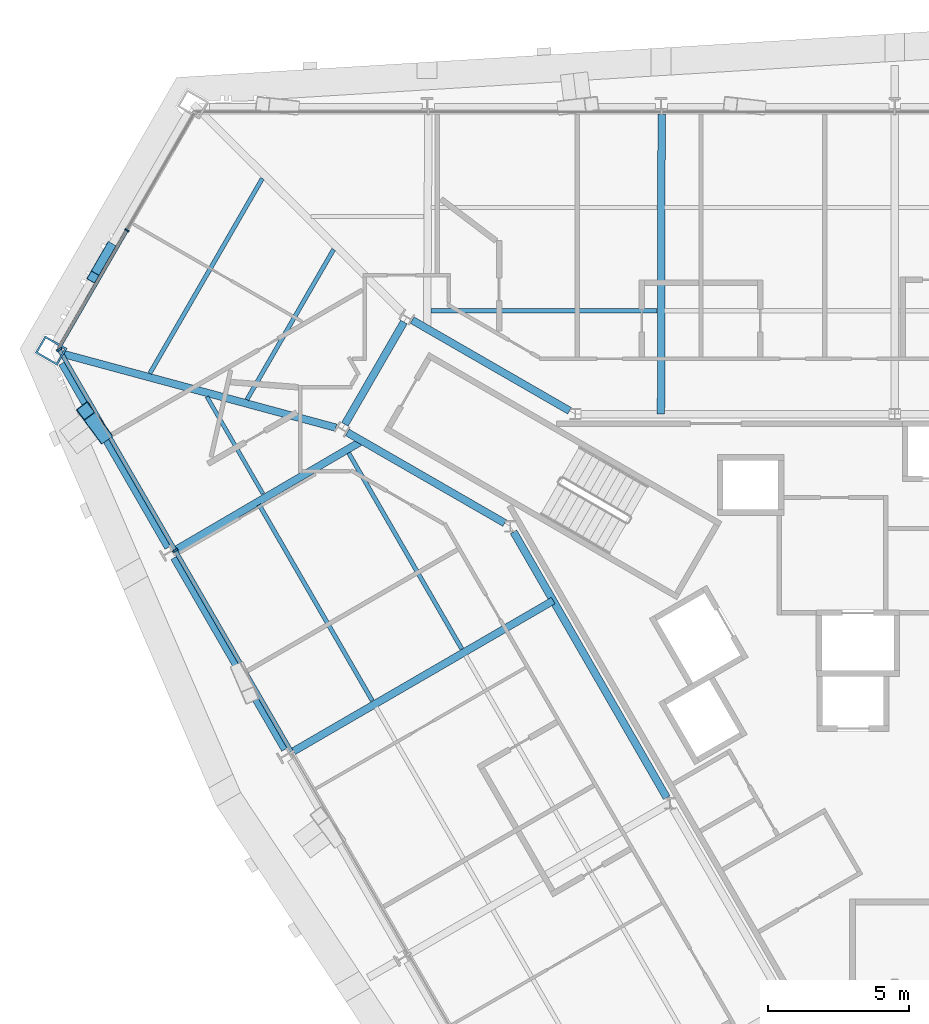
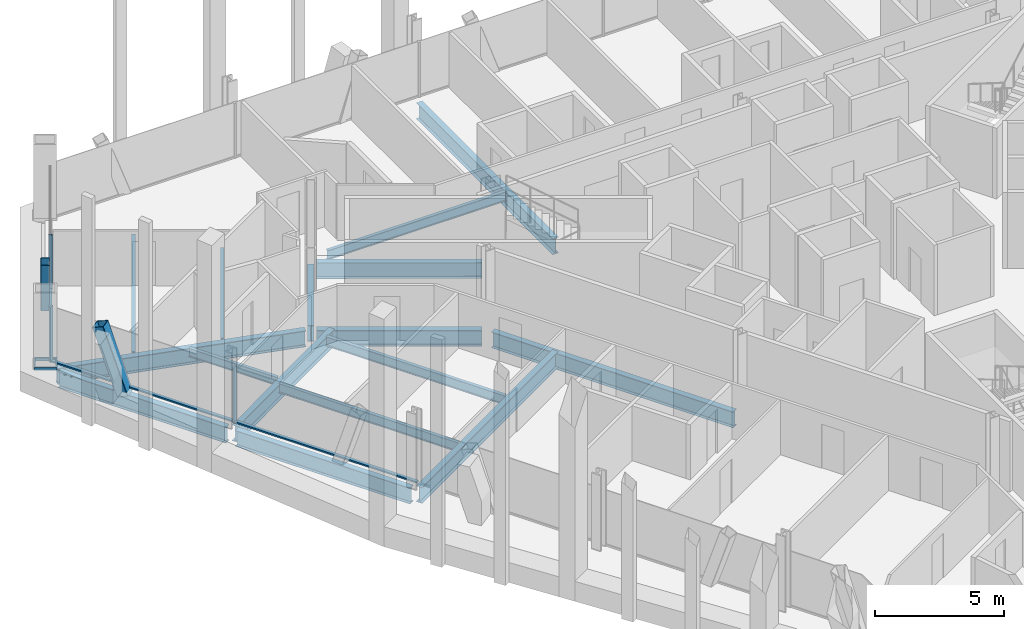
# One storey, part 6 of 17: 16 beams, 9 members, 2 elements without a shape of their own.
"""IFC4 building model written with IfcOpenShell, lengths in metres."""

from ifc_helpers import new_model, si_unit, direction, frame, origin, origin_2d, place, context, subcontext, project, spatial, rectangle, hollow_rectangle, i_section, extrude, material, material_profile, profile_set, type_object, element, aggregate, save


model = new_model("IFC4")

# Units and contexts
model_context = context("Model", 3, precision=1e-05, world=origin(), true_north=direction((0.0, 1.0)))
body_context = subcontext(model_context, "Body", "Model", "MODEL_VIEW")
ifc_project = project(units=[si_unit("LENGTHUNIT", "METRE"), si_unit("AREAUNIT", "SQUARE_METRE"), si_unit("VOLUMEUNIT", "CUBIC_METRE"), si_unit("PLANEANGLEUNIT", "RADIAN"), si_unit("MASSUNIT", "GRAM", prefix="KILO")], contexts=[model_context])

# Site, building, storey
site_placement = place(None, origin())
site = spatial("IfcSite", under=ifc_project, at=site_placement, CompositionType="ELEMENT")
building_placement = place(site_placement, origin())
building = spatial("IfcBuilding", under=site, at=building_placement, Name="Verrane Prism Tower", CompositionType="ELEMENT")
storey_placement = place(building_placement, frame((0.0, 0.0, 132.39990234375)))
storey = spatial("IfcBuildingStorey", under=building, at=storey_placement, Name="L32", CompositionType="ELEMENT", Elevation=132.39990234375)

# Member
ifc_material_1 = material(Name="Steel A500 Grade C", Category="steel")
ifc_material_profile_1 = material_profile(ifc_material_1, hollow_rectangle(XDim=0.355712890625, YDim=0.355712890625, WallThickness=0.0126953125, InnerFilletRadius=0.00634765625, OuterFilletRadius=0.01904296875, at=origin_2d()), Name="HSS14x14x1/2")
ifc_profile_set_1 = profile_set([ifc_material_profile_1], Name="Steel A500 Grade C")
member_type_1 = type_object("IfcMemberType", Name="Chamfer brace HSS14x14x1/2", PredefinedType="BRACE", material=ifc_profile_set_1)
member_1_placement = place(storey_placement, frame((-27.819580078125, 15.09228515625, -0.2451171875), z_axis=(-0.185731946413, -0.321955499145, 0.928357851613), x_axis=(0.866199107184, -0.499699016123, 0.0)))
element("IfcMember", 1, at=member_1_placement, inside=storey, type_object=member_type_1, Name="Chamfer brace NW0 L32", PredefinedType="BRACE", context=body_context, shape_type="SweptSolid", body=[
    extrude(hollow_rectangle(XDim=0.355712890625, YDim=0.355712890625, WallThickness=0.0126953125, InnerFilletRadius=0.00634765625, OuterFilletRadius=0.01904296875, at=origin_2d()), origin(), (0.0, 0.0, 1.0), 3.23486328125),
])

# Beams
ifc_material_2 = material(Name="Steel A992", Category="steel")
ifc_material_profile_2 = material_profile(ifc_material_2, i_section(OverallWidth=0.2666015625, OverallDepth=0.7568359375, WebThickness=0.013916015625, FlangeThickness=0.019287109375, FilletRadius=0.0166015625, at=origin_2d()), Name="W30x108")
ifc_profile_set_2 = profile_set([ifc_material_profile_2], Name="Steel A992")
beam_type_1 = type_object("IfcBeamType", Name="Core ring girder W30x108", PredefinedType="BEAM", material=ifc_profile_set_2)
beam_1_placement = place(storey_placement, frame((-11.53076171875, 9.315673828125, -0.62841796875), z_axis=(-0.866455532004, 0.499254254924, 0.0), x_axis=(-0.499254254924, -0.866455532004, 0.0)))
element("IfcBeam", 2, at=beam_1_placement, inside=storey, type_object=beam_type_1, Name="Core ring girder L32", PredefinedType="BEAM", context=body_context, shape_type="SweptSolid", body=[
    extrude(i_section(OverallWidth=0.2666015625, OverallDepth=0.7568359375, WebThickness=0.013916015625, FlangeThickness=0.019287109375, FilletRadius=0.0166015625, at=origin_2d()), origin(), (0.0, 0.0, 1.0), 6.441162109375),
])
beam_2_placement = place(storey_placement, frame((-17.40283203125, 12.4619140625, -0.62841796875), z_axis=(-0.500367003619, -0.865813410435, 0.0), x_axis=(0.865813410435, -0.500367003619, 0.0)))
element("IfcBeam", 3, at=beam_2_placement, inside=storey, type_object=beam_type_1, Name="Core ring girder L32", PredefinedType="BEAM", context=body_context, shape_type="SweptSolid", body=[
    extrude(i_section(OverallWidth=0.2666015625, OverallDepth=0.7568359375, WebThickness=0.013916015625, FlangeThickness=0.019287109375, FilletRadius=0.0166015625, at=origin_2d()), origin(), (0.0, 0.0, 1.0), 4.185302734375),
])
beam_3_placement = place(storey_placement, frame((-19.411865234375, 8.551513671875, -0.62841796875), z_axis=(0.866455532004, -0.499254254924, 0.0), x_axis=(0.499254254924, 0.866455532004, 0.0)))
element("IfcBeam", 4, at=beam_3_placement, inside=storey, type_object=beam_type_1, Name="Core ring girder L32", PredefinedType="BEAM", context=body_context, shape_type="SweptSolid", body=[
    extrude(i_section(OverallWidth=0.2666015625, OverallDepth=0.7568359375, WebThickness=0.013916015625, FlangeThickness=0.019287109375, FilletRadius=0.0166015625, at=origin_2d()), origin(), (0.0, 0.0, 1.0), 6.441162109375),
])
beam_4_placement = place(storey_placement, frame((-13.51513671875, 5.0205078125, -0.62841796875), z_axis=(0.4993706109, -0.866388476937, 0.0), x_axis=(0.866388476937, 0.4993706109, 0.0)))
element("IfcBeam", 5, at=beam_4_placement, inside=storey, type_object=beam_type_1, Name="Core ring girder L32", PredefinedType="BEAM", context=body_context, shape_type="SweptSolid", body=[
    extrude(i_section(OverallWidth=0.2666015625, OverallDepth=0.7568359375, WebThickness=0.013916015625, FlangeThickness=0.019287109375, FilletRadius=0.0166015625, at=origin_2d()), origin(), (0.0, 0.0, 1.0), 10.8740234375),
])
ifc_material_3 = material(Name="Steel A992", Category="steel")
ifc_material_profile_3 = material_profile(ifc_material_3, i_section(OverallWidth=0.2666015625, OverallDepth=0.76708984375, WebThickness=0.014892578125, FlangeThickness=0.023681640625, FilletRadius=0.0166015625, at=origin_2d()), Name="W30x124")
ifc_profile_set_3 = profile_set([ifc_material_profile_3], Name="Steel A992")
beam_type_2 = type_object("IfcBeamType", Name="Corner girder W30x124", PredefinedType="BEAM", material=ifc_profile_set_3)
beam_5_placement = place(storey_placement, frame((-29.470458984375, 11.32861328125, -0.603515625), z_axis=(0.965337296085, -0.261005564666, 0.0), x_axis=(0.261005564666, 0.965337296085, 0.0)))
element("IfcBeam", 6, at=beam_5_placement, inside=storey, type_object=beam_type_2, Name="Corner girder L32", PredefinedType="BEAM", context=body_context, shape_type="SweptSolid", body=[
    extrude(i_section(OverallWidth=0.2666015625, OverallDepth=0.76708984375, WebThickness=0.014892578125, FlangeThickness=0.023681640625, FilletRadius=0.0166015625, at=origin_2d()), origin(), (0.0, 0.0, 1.0), 10.000244140625),
])

# Member
ifc_material_4 = material(Name="Steel A1085 Grade A", Category="steel")
ifc_material_profile_4 = material_profile(ifc_material_4, hollow_rectangle(XDim=0.508056640625, YDim=0.508056640625, WallThickness=0.025390625, InnerFilletRadius=0.0126953125, OuterFilletRadius=0.0380859375, at=origin_2d()), Name="HSS20x20x1")
ifc_profile_set_4 = profile_set([ifc_material_profile_4], Name="Steel A1085 Grade A")
member_type_2 = type_object("IfcMemberType", Name="Facade brace HSS20x20x1", PredefinedType="BRACE", material=ifc_profile_set_4)
member_2_placement = place(storey_placement, frame((-28.064697265625, 8.469482421875, -0.242431640625), z_axis=(-0.195113232016, 0.26395868677, 0.944593371971), x_axis=(-0.804156725059, -0.594417329444, 0.0)))
element("IfcMember", 7, at=member_2_placement, inside=storey, type_object=member_type_2, Name="Facade brace SW0 L32", PredefinedType="BRACE", context=body_context, shape_type="SweptSolid", body=[
    extrude(hollow_rectangle(XDim=0.508056640625, YDim=0.508056640625, WallThickness=0.025390625, InnerFilletRadius=0.0126953125, OuterFilletRadius=0.0380859375, at=origin_2d()), origin(), (0.0, 0.0, 1.0), 3.1845703125),
])

# Beams
ifc_material_5 = material(Name="Steel A992", Category="steel")
ifc_material_profile_5 = material_profile(ifc_material_5, i_section(OverallWidth=0.140380859375, OverallDepth=0.40380859375, WebThickness=0.007080078125, FlangeThickness=0.01123046875, FilletRadius=0.01025390625, at=origin_2d()), Name="W16x31")
ifc_profile_set_5 = profile_set([ifc_material_profile_5], Name="Steel A992")
beam_type_3 = type_object("IfcBeamType", Name="Floor beam W16x31", PredefinedType="BEAM", material=ifc_profile_set_5)
beam_6_placement = place(storey_placement, frame((-22.40185546875, 6.37548828125, -0.36181640625), z_axis=(-0.499972468829, 0.86604129833, 0.0), x_axis=(-0.86604129833, -0.499972468829, 0.0)))
element("IfcBeam", 8, at=beam_6_placement, inside=storey, type_object=beam_type_3, Name="Floor beam L32", PredefinedType="BEAM", context=body_context, shape_type="SweptSolid", body=[
    extrude(i_section(OverallWidth=0.140380859375, OverallDepth=0.40380859375, WebThickness=0.007080078125, FlangeThickness=0.01123046875, FilletRadius=0.01025390625, at=origin_2d()), origin(), (0.0, 0.0, 1.0), 3.972900390625),
])
ifc_material_6 = material(Name="Steel A992", Category="steel")
ifc_material_profile_6 = material_profile(ifc_material_6, i_section(OverallWidth=0.15234375, OverallDepth=0.449462890625, WebThickness=0.007568359375, FlangeThickness=0.0107421875, FilletRadius=0.01025390625, at=origin_2d()), Name="W18x35")
ifc_profile_set_6 = profile_set([ifc_material_profile_6], Name="Steel A992")
beam_type_4 = type_object("IfcBeamType", Name="Floor beam W18x35", PredefinedType="BEAM", material=ifc_profile_set_6)
beam_7_placement = place(storey_placement, frame((-16.446533203125, 12.86328125, -0.384765625), z_axis=(1.0, 0.0, 0.0), x_axis=(0.0, 1.0, 0.0)))
element("IfcBeam", 9, at=beam_7_placement, inside=storey, type_object=beam_type_4, Name="Floor beam L32", PredefinedType="BEAM", context=body_context, shape_type="SweptSolid", body=[
    extrude(i_section(OverallWidth=0.15234375, OverallDepth=0.449462890625, WebThickness=0.007568359375, FlangeThickness=0.0107421875, FilletRadius=0.01025390625, at=origin_2d()), origin(), (0.0, 0.0, 1.0), 8.02294921875),
])
beam_8_placement = place(storey_placement, frame((-15.351318359375, 0.87158203125, -0.384765625), z_axis=(-0.499986657325, 0.866033107044, 0.0), x_axis=(-0.866033107044, -0.499986657325, 0.0)))
element("IfcBeam", 10, at=beam_8_placement, inside=storey, type_object=beam_type_4, Name="Floor beam L32", PredefinedType="BEAM", context=body_context, shape_type="SweptSolid", body=[
    extrude(i_section(OverallWidth=0.15234375, OverallDepth=0.449462890625, WebThickness=0.007568359375, FlangeThickness=0.0107421875, FilletRadius=0.01025390625, at=origin_2d()), origin(), (0.0, 0.0, 1.0), 8.025634765625),
])
beam_9_placement = place(storey_placement, frame((-18.525634765625, -0.96240234375, -0.384765625), z_axis=(-0.499996300355, 0.866027539765, 0.0), x_axis=(-0.866027539765, -0.499996300355, 0.0)))
element("IfcBeam", 11, at=beam_9_placement, inside=storey, type_object=beam_type_4, Name="Floor beam L32", PredefinedType="BEAM", context=body_context, shape_type="SweptSolid", body=[
    extrude(i_section(OverallWidth=0.15234375, OverallDepth=0.449462890625, WebThickness=0.007568359375, FlangeThickness=0.0107421875, FilletRadius=0.01025390625, at=origin_2d()), origin(), (0.0, 0.0, 1.0), 8.02587890625),
])
beam_10_placement = place(storey_placement, frame((-22.971435546875, 9.709716796875, -0.384765625), z_axis=(0.499989277538, 0.866031594312, 0.0), x_axis=(-0.866031594312, 0.499989277538, 0.0)))
element("IfcBeam", 12, at=beam_10_placement, inside=storey, type_object=beam_type_4, Name="Floor beam L32", PredefinedType="BEAM", context=body_context, shape_type="SweptSolid", body=[
    extrude(i_section(OverallWidth=0.15234375, OverallDepth=0.449462890625, WebThickness=0.007568359375, FlangeThickness=0.0107421875, FilletRadius=0.01025390625, at=origin_2d()), origin(), (0.0, 0.0, 1.0), 6.151611328125),
])
beam_11_placement = place(storey_placement, frame((-26.413818359375, 10.640380859375, -0.384765625), z_axis=(0.500003955024, 0.866023120338, 0.0), x_axis=(-0.866023120338, 0.500003955024, 0.0)))
element("IfcBeam", 13, at=beam_11_placement, inside=storey, type_object=beam_type_4, Name="Floor beam L32", PredefinedType="BEAM", context=body_context, shape_type="SweptSolid", body=[
    extrude(i_section(OverallWidth=0.15234375, OverallDepth=0.449462890625, WebThickness=0.007568359375, FlangeThickness=0.0107421875, FilletRadius=0.01025390625, at=origin_2d()), origin(), (0.0, 0.0, 1.0), 7.98291015625),
])

# Member
ifc_material_7 = material(Name="Steel A572 Grade 50", Category="steel")
ifc_material_profile_7 = material_profile(ifc_material_7, hollow_rectangle(XDim=0.699951171875, YDim=0.89990234375, WallThickness=0.06494140625, at=origin_2d()), Name="BOX 900x700x65")
ifc_profile_set_7 = profile_set([ifc_material_profile_7], Name="Steel A572 Grade 50")
member_type_3 = type_object("IfcMemberType", Name="Kink node BOX 900x700x65", PredefinedType="COLLAR", material=ifc_profile_set_7)
member_3_placement = place(storey_placement, frame((-29.91162109375, 11.449951171875, -0.074951171875), z_axis=(0.0, 0.0, 1.0), x_axis=(0.5, 0.866025403784, 0.0)))
element("IfcMember", 14, at=member_3_placement, inside=storey, type_object=member_type_3, Name="Kink node MC3 L32", PredefinedType="COLLAR", context=body_context, shape_type="SweptSolid", body=[
    extrude(hollow_rectangle(XDim=0.699951171875, YDim=0.89990234375, WallThickness=0.06494140625, at=origin_2d()), origin(), (0.0, 0.0, 1.0), 0.150146484375),
])

# Curtain wall, member
ifc_material_8 = material(Name="Aluminium framed insulated glazing", Category="aluminium")
curtain_wall_type_1 = type_object("IfcCurtainWallType", Name="Curtain wall CW-B 5600 module", PredefinedType="NOTDEFINED", material=ifc_material_8)
curtain_wall_1_placement = place(storey_placement, origin())
curtain_wall_1 = element("IfcCurtainWall", 15, at=curtain_wall_1_placement, inside=storey, type_object=curtain_wall_type_1, Name="Glazed curtain wall north-west corner L32", PredefinedType="NOTDEFINED")
ifc_material_9 = material(Name="Aluminium alloy 6063-T6", Category="aluminium")
ifc_material_profile_8 = material_profile(ifc_material_9, rectangle(XDim=0.159912109375, YDim=0.06005859375, at=origin_2d()), Name="Mullion 60x160 aluminium")
ifc_profile_set_8 = profile_set([ifc_material_profile_8], Name="Aluminium alloy 6063-T6")
member_type_4 = type_object("IfcMemberType", Name="Mullion 60x160 aluminium", PredefinedType="MULLION", material=ifc_profile_set_8)
member_4_placement = place(storey_placement, frame((-27.223876953125, 15.7177734375, 0.0), z_axis=(0.0, 0.0, 1.0), x_axis=(0.866027551544, -0.499996279953, 0.0)))
member_4 = element("IfcMember", 16, at=member_4_placement, type_object=member_type_4, Name="CW32.3 mullion 2", PredefinedType="MULLION", context=body_context, shape_type="SweptSolid", body=[
    extrude(rectangle(XDim=0.159912109375, YDim=0.06005859375, at=origin_2d()), origin(), (0.0, 0.0, 1.0), 2.613037109375),
])

# Curtain wall, members
ifc_material_10 = material(Name="Aluminium framed insulated glazing", Category="aluminium")
curtain_wall_type_2 = type_object("IfcCurtainWallType", Name="Curtain wall CW-A 8400 module", PredefinedType="NOTDEFINED", material=ifc_material_10)
curtain_wall_2_placement = place(storey_placement, origin())
curtain_wall_2 = element("IfcCurtainWall", 17, at=curtain_wall_2_placement, inside=storey, type_object=curtain_wall_type_2, Name="Glazed curtain wall south-west face L32", PredefinedType="NOTDEFINED")
ifc_material_11 = material(Name="Aluminium alloy 6063-T6", Category="aluminium")
ifc_material_profile_9 = material_profile(ifc_material_11, rectangle(XDim=0.199951171875, YDim=0.070068359375, at=origin_2d()), Name="Mullion 70x200 aluminium")
ifc_profile_set_9 = profile_set([ifc_material_profile_9], Name="Aluminium alloy 6063-T6")
member_type_5 = type_object("IfcMemberType", Name="Mullion 70x200 aluminium", PredefinedType="MULLION", material=ifc_profile_set_9)
member_5_placement = place(storey_placement, frame((-29.62744140625, 11.494140625, 0.0), z_axis=(0.0, 0.0, 1.0), x_axis=(0.866025120648, 0.500000490406, 0.0)))
member_5 = element("IfcMember", 18, at=member_5_placement, type_object=member_type_5, Name="CW32.4 mullion 1", PredefinedType="MULLION", context=body_context, shape_type="SweptSolid", body=[
    extrude(rectangle(XDim=0.199951171875, YDim=0.070068359375, at=origin_2d()), origin(), (0.0, 0.0, 1.0), 2.613037109375),
])
member_6_placement = place(storey_placement, frame((-25.510986328125, 4.364501953125, 0.0), z_axis=(0.0, 0.0, 1.0), x_axis=(0.866025120648, 0.500000490406, 0.0)))
member_6 = element("IfcMember", 19, at=member_6_placement, type_object=member_type_5, Name="CW32.4 mullion 2", PredefinedType="MULLION", context=body_context, shape_type="SweptSolid", body=[
    extrude(rectangle(XDim=0.199951171875, YDim=0.070068359375, at=origin_2d()), origin(), (0.0, 0.0, 1.0), 2.613037109375),
])

# Beams
ifc_material_12 = material(Name="Steel A992", Category="steel")
ifc_material_profile_10 = material_profile(ifc_material_12, i_section(OverallWidth=0.2666015625, OverallDepth=0.76708984375, WebThickness=0.014892578125, FlangeThickness=0.023681640625, FilletRadius=0.0166015625, at=origin_2d()), Name="W30x124")
ifc_profile_set_10 = profile_set([ifc_material_profile_10], Name="Steel A992")
beam_type_5 = type_object("IfcBeamType", Name="Radial girder W30x124", PredefinedType="BEAM", material=ifc_profile_set_10)
beam_12_placement = place(storey_placement, frame((-8.2685546875, 19.843994140625, -0.603515625), z_axis=(-0.002018437101, -0.999997962954, 0.0), x_axis=(0.999997962954, -0.002018437101, 0.0)))
element("IfcBeam", 20, at=beam_12_placement, inside=storey, type_object=beam_type_5, Name="Radial girder L32", PredefinedType="BEAM", context=body_context, shape_type="SweptSolid", body=[
    extrude(i_section(OverallWidth=0.2666015625, OverallDepth=0.76708984375, WebThickness=0.014892578125, FlangeThickness=0.023681640625, FilletRadius=0.0166015625, at=origin_2d()), origin(), (0.0, 0.0, 1.0), 10.64404296875),
])
beam_13_placement = place(storey_placement, frame((-25.45849609375, 4.403564453125, -0.603515625), z_axis=(0.863044132395, 0.505128523783, 0.0), x_axis=(-0.505128523783, 0.863044132395, 0.0)))
element("IfcBeam", 21, at=beam_13_placement, inside=storey, type_object=beam_type_5, Name="Radial girder L32", PredefinedType="BEAM", context=body_context, shape_type="SweptSolid", body=[
    extrude(i_section(OverallWidth=0.2666015625, OverallDepth=0.76708984375, WebThickness=0.014892578125, FlangeThickness=0.023681640625, FilletRadius=0.0166015625, at=origin_2d()), origin(), (0.0, 0.0, 1.0), 7.61376953125),
])
beam_14_placement = place(storey_placement, frame((-21.31982421875, -2.7568359375, -0.603515625), z_axis=(0.864970071219, 0.501823450922, 0.0), x_axis=(-0.501823450922, 0.864970071219, 0.0)))
element("IfcBeam", 22, at=beam_14_placement, inside=storey, type_object=beam_type_5, Name="Radial girder L32", PredefinedType="BEAM", context=body_context, shape_type="SweptSolid", body=[
    extrude(i_section(OverallWidth=0.2666015625, OverallDepth=0.76708984375, WebThickness=0.014892578125, FlangeThickness=0.023681640625, FilletRadius=0.0166015625, at=origin_2d()), origin(), (0.0, 0.0, 1.0), 10.645751953125),
])
ifc_material_13 = material(Name="Steel A992", Category="steel")
ifc_material_profile_11 = material_profile(ifc_material_13, i_section(OverallWidth=0.2666015625, OverallDepth=0.7568359375, WebThickness=0.013916015625, FlangeThickness=0.019287109375, FilletRadius=0.0166015625, at=origin_2d()), Name="W30x108")
ifc_profile_set_11 = profile_set([ifc_material_profile_11], Name="Steel A992")
beam_type_6 = type_object("IfcBeamType", Name="Spandrel beam W30x108", PredefinedType="SPANDREL", material=ifc_profile_set_11)
beam_15_placement = place(storey_placement, frame((-29.523193359375, 10.999755859375, -0.538330078125), z_axis=(0.499411141273, -0.866365114702, 0.0), x_axis=(0.866365114702, 0.499411141273, 0.0)))
element("IfcBeam", 23, at=beam_15_placement, inside=storey, type_object=beam_type_6, Name="Spandrel beam L32", PredefinedType="SPANDREL", context=body_context, shape_type="SweptSolid", body=[
    extrude(i_section(OverallWidth=0.2666015625, OverallDepth=0.7568359375, WebThickness=0.013916015625, FlangeThickness=0.019287109375, FilletRadius=0.0166015625, at=origin_2d()), origin(), (0.0, 0.0, 1.0), 7.53662109375),
])
beam_16_placement = place(storey_placement, frame((-25.5498046875, 4.107177734375, -0.538330078125), z_axis=(0.500409712732, -0.865788726771, 0.0), x_axis=(0.865788726771, 0.500409712732, 0.0)))
element("IfcBeam", 24, at=beam_16_placement, inside=storey, type_object=beam_type_6, Name="Spandrel beam L32", PredefinedType="SPANDREL", context=body_context, shape_type="SweptSolid", body=[
    extrude(i_section(OverallWidth=0.2666015625, OverallDepth=0.7568359375, WebThickness=0.013916015625, FlangeThickness=0.019287109375, FilletRadius=0.0166015625, at=origin_2d()), origin(), (0.0, 0.0, 1.0), 7.8505859375),
])

# Member
ifc_material_14 = material(Name="Aluminium alloy 6063-T6", Category="aluminium")
ifc_material_profile_12 = material_profile(ifc_material_14, rectangle(XDim=0.1201171875, YDim=0.06005859375, at=origin_2d()), Name="Transom 60x120 aluminium")
ifc_profile_set_12 = profile_set([ifc_material_profile_12], Name="Aluminium alloy 6063-T6")
member_type_6 = type_object("IfcMemberType", Name="Transom 60x120 aluminium", PredefinedType="USERDEFINED", material=ifc_profile_set_12)
member_7_placement = place(storey_placement, frame((-27.239013671875, 15.691650390625, 0.030029296875), z_axis=(-0.50000792458, -0.866020828478, 0.0), x_axis=(0.866020828478, -0.50000792458, 0.0)))
member_7 = element("IfcMember", 25, at=member_7_placement, type_object=member_type_6, Name="CW32.3 transom 2", ObjectType="TRANSOM", PredefinedType="USERDEFINED", context=body_context, shape_type="SweptSolid", body=[
    extrude(rectangle(XDim=0.1201171875, YDim=0.06005859375, at=origin_2d()), origin(), (0.0, 0.0, 1.0), 4.81201171875),
])

aggregate(curtain_wall_1, [member_4, member_7])

ifc_material_15 = material(Name="Aluminium alloy 6063-T6", Category="aluminium")
ifc_material_profile_13 = material_profile(ifc_material_15, rectangle(XDim=0.14990234375, YDim=0.070068359375, at=origin_2d()), Name="Transom 70x150 aluminium")
ifc_profile_set_13 = profile_set([ifc_material_profile_13], Name="Aluminium alloy 6063-T6")
member_type_7 = type_object("IfcMemberType", Name="Transom 70x150 aluminium", PredefinedType="USERDEFINED", material=ifc_profile_set_13)
member_8_placement = place(storey_placement, frame((-29.60986328125, 11.4638671875, 0.03515625), z_axis=(0.499996028522, -0.866027696706, 0.0), x_axis=(0.866027696706, 0.499996028522, 0.0)))
member_8 = element("IfcMember", 26, at=member_8_placement, type_object=member_type_7, Name="CW32.4 transom 1", ObjectType="TRANSOM", PredefinedType="USERDEFINED", context=body_context, shape_type="SweptSolid", body=[
    extrude(rectangle(XDim=0.14990234375, YDim=0.070068359375, at=origin_2d()), origin(), (0.0, 0.0, 1.0), 8.16259765625),
])

member_9_placement = place(storey_placement, frame((-25.49365234375, 4.334228515625, 0.03515625), z_axis=(0.500005171338, -0.866022418091, 0.0), x_axis=(0.866022418091, 0.500005171338, 0.0)))
member_9 = element("IfcMember", 27, at=member_9_placement, type_object=member_type_7, Name="CW32.4 transom 2", ObjectType="TRANSOM", PredefinedType="USERDEFINED", context=body_context, shape_type="SweptSolid", body=[
    extrude(rectangle(XDim=0.14990234375, YDim=0.070068359375, at=origin_2d()), origin(), (0.0, 0.0, 1.0), 8.19775390625),
])

aggregate(curtain_wall_2, [member_5, member_6, member_8, member_9])

save(model, "model.ifc")
